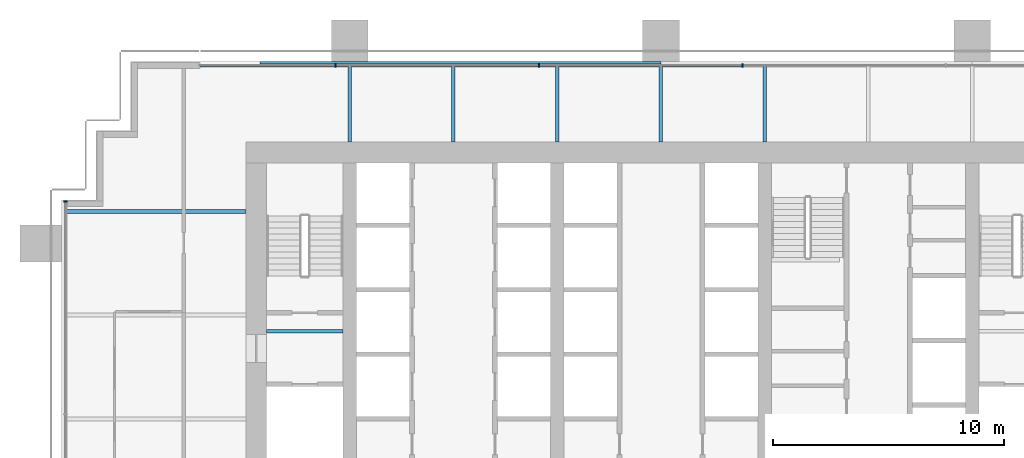
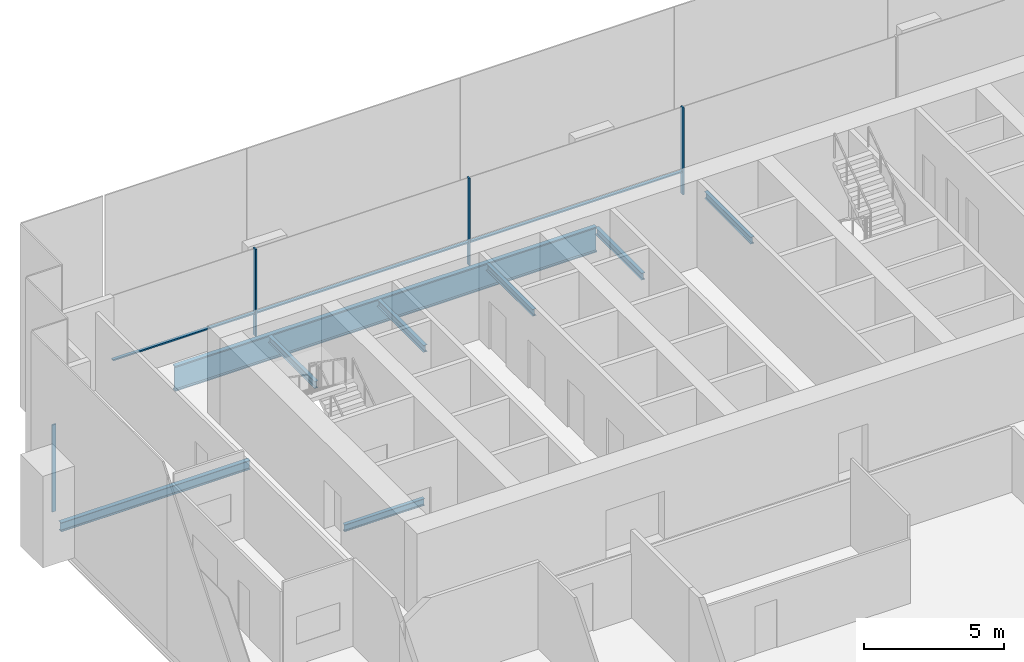
# One storey, part 8 of 19: 8 beams, 7 members, 2 elements without a shape of their own.
"""IFC4 building model written with IfcOpenShell, lengths in metres."""

from ifc_helpers import new_model, si_unit, direction, frame, origin, origin_2d, place, context, subcontext, project, spatial, rectangle, i_section, extrude, material, material_profile, profile_set, type_object, element, aggregate, save


model = new_model("IFC4")

# Units and contexts
model_context = context("Model", 3, precision=1e-05, world=origin(), true_north=direction((0.0, 1.0)))
body_context = subcontext(model_context, "Body", "Model", "MODEL_VIEW")
ifc_project = project(units=[si_unit("LENGTHUNIT", "METRE"), si_unit("AREAUNIT", "SQUARE_METRE"), si_unit("VOLUMEUNIT", "CUBIC_METRE"), si_unit("PLANEANGLEUNIT", "RADIAN"), si_unit("MASSUNIT", "GRAM", prefix="KILO")], contexts=[model_context])

# Site, building, storey
site_placement = place(None, origin())
site = spatial("IfcSite", under=ifc_project, at=site_placement, CompositionType="ELEMENT")
building_placement = place(site_placement, origin())
building = spatial("IfcBuilding", under=site, at=building_placement, Name="Rattan Terrace Tower", CompositionType="ELEMENT")
storey_placement = place(building_placement, frame((0.0, 0.0, 91.699951171875)))
storey = spatial("IfcBuildingStorey", under=building, at=storey_placement, Name="L20", CompositionType="ELEMENT", Elevation=91.699951171875)

# Curtain wall, members
ifc_material_1 = material(Name="Aluminium and glass", Category="aluminium")
curtain_wall_type = type_object("IfcCurtainWallType", Name="Facade Unitised Curtain Wall", PredefinedType="NOTDEFINED", material=ifc_material_1)
curtain_wall_1_placement = place(storey_placement, origin())
curtain_wall_1 = element("IfcCurtainWall", 1, at=curtain_wall_1_placement, inside=storey, type_object=curtain_wall_type, Name="Curtain wall L20-2", PredefinedType="NOTDEFINED")
ifc_material_2 = material(Name="Aluminium", Category="aluminium")
ifc_material_profile_1 = material_profile(ifc_material_2, rectangle(XDim=0.06005859375, YDim=0.159912109375, at=origin_2d()), Name="Aluminium 60x160")
ifc_profile_set_1 = profile_set([ifc_material_profile_1], Name="Aluminium")
member_type_1 = type_object("IfcMemberType", Name="Facade CW Mullion 60x160", PredefinedType="MULLION", material=ifc_profile_set_1)
member_1_placement = place(storey_placement, frame((3.531005859375, 10.830078125, 0.0), z_axis=(0.0, 0.0, 1.0), x_axis=(-1.0, 0.0, 0.0)))
member_1 = element("IfcMember", 2, at=member_1_placement, type_object=member_type_1, Name="Mullion cwl-L20-002.4", PredefinedType="MULLION", context=body_context, shape_type="SweptSolid", body=[
    extrude(rectangle(XDim=0.06005859375, YDim=0.159912109375, at=origin_2d()), origin(), (0.0, 0.0, 1.0), 3.800048828125),
])
member_2_placement = place(storey_placement, frame((-5.2919921875, 10.830078125, 0.0), z_axis=(0.0, 0.0, 1.0), x_axis=(-1.0, 0.0, 0.0)))
member_2 = element("IfcMember", 3, at=member_2_placement, type_object=member_type_1, Name="Mullion cwl-L20-002.5", PredefinedType="MULLION", context=body_context, shape_type="SweptSolid", body=[
    extrude(rectangle(XDim=0.06005859375, YDim=0.159912109375, at=origin_2d()), origin(), (0.0, 0.0, 1.0), 3.800048828125),
])
member_3_placement = place(storey_placement, frame((-14.114990234375, 10.830078125, 0.0), z_axis=(0.0, 0.0, 1.0), x_axis=(-1.0, 0.0, 0.0)))
member_3 = element("IfcMember", 4, at=member_3_placement, type_object=member_type_1, Name="Mullion cwl-L20-002.6", PredefinedType="MULLION", context=body_context, shape_type="SweptSolid", body=[
    extrude(rectangle(XDim=0.06005859375, YDim=0.159912109375, at=origin_2d()), origin(), (0.0, 0.0, 1.0), 3.800048828125),
])

# Curtain wall, member
curtain_wall_2_placement = place(storey_placement, origin())
curtain_wall_2 = element("IfcCurtainWall", 5, at=curtain_wall_2_placement, inside=storey, type_object=curtain_wall_type, Name="Curtain wall L20-3", PredefinedType="NOTDEFINED")
member_4_placement = place(storey_placement, frame((-25.830078125, 4.925048828125, 0.0), z_axis=(0.0, 0.0, 1.0), x_axis=(0.0, -1.0, 0.0)))
member_4 = element("IfcMember", 6, at=member_4_placement, type_object=member_type_1, Name="Mullion cwl-L20-003.1", PredefinedType="MULLION", context=body_context, shape_type="SweptSolid", body=[
    extrude(rectangle(XDim=0.06005859375, YDim=0.159912109375, at=origin_2d()), origin(), (0.0, 0.0, 1.0), 3.800048828125),
])
aggregate(curtain_wall_2, [member_4])

# Member
ifc_material_3 = material(Name="Aluminium", Category="aluminium")
ifc_material_profile_2 = material_profile(ifc_material_3, rectangle(XDim=0.1201171875, YDim=0.06005859375, at=origin_2d()), Name="Aluminium 120x60")
ifc_profile_set_2 = profile_set([ifc_material_profile_2], Name="Aluminium")
member_type_2 = type_object("IfcMemberType", Name="Facade CW Transom 120x60", PredefinedType="USERDEFINED", material=ifc_profile_set_2)
member_5_placement = place(storey_placement, frame((3.5009765625, 10.830078125, 1.0), z_axis=(-1.0, 0.0, 0.0), x_axis=(0.0, -1.0, 0.0)))
member_5 = element("IfcMember", 7, at=member_5_placement, type_object=member_type_2, Name="Transom cwl-L20-002.4", ObjectType="TRANSOM", PredefinedType="USERDEFINED", context=body_context, shape_type="SweptSolid", body=[
    extrude(rectangle(XDim=0.1201171875, YDim=0.06005859375, at=origin_2d()), origin(), (0.0, 0.0, 1.0), 8.762939453125),
])

member_6_placement = place(storey_placement, frame((-5.322021484375, 10.830078125, 1.0), z_axis=(-1.0, 0.0, 0.0), x_axis=(0.0, -1.0, 0.0)))
member_6 = element("IfcMember", 8, at=member_6_placement, type_object=member_type_2, Name="Transom cwl-L20-002.5", ObjectType="TRANSOM", PredefinedType="USERDEFINED", context=body_context, shape_type="SweptSolid", body=[
    extrude(rectangle(XDim=0.1201171875, YDim=0.06005859375, at=origin_2d()), origin(), (0.0, 0.0, 1.0), 8.762939453125),
])

member_7_placement = place(storey_placement, frame((-14.14501953125, 10.830078125, 1.0), z_axis=(-1.0, 0.0, 0.0), x_axis=(0.0, -1.0, 0.0)))
member_7 = element("IfcMember", 9, at=member_7_placement, type_object=member_type_2, Name="Transom cwl-L20-002.6", ObjectType="TRANSOM", PredefinedType="USERDEFINED", context=body_context, shape_type="SweptSolid", body=[
    extrude(rectangle(XDim=0.1201171875, YDim=0.06005859375, at=origin_2d()), origin(), (0.0, 0.0, 1.0), 5.85498046875),
])

aggregate(curtain_wall_1, [member_1, member_2, member_3, member_5, member_6, member_7])

# Beams
ifc_material_4 = material(Name="Steel S460", Category="steel")
ifc_material_profile_3 = material_profile(ifc_material_4, i_section(OverallWidth=0.179931640625, OverallDepth=1.10009765625, WebThickness=0.01611328125, FlangeThickness=0.050048828125, at=origin_2d()), Name="PG 1100x180-16-50")
ifc_profile_set_3 = profile_set([ifc_material_profile_3], Name="Steel S460")
beam_type_1 = type_object("IfcBeamType", Name="Frame edge girder PG 1100x180-16-50", PredefinedType="SPANDREL", material=ifc_profile_set_3)
beam_1_placement = place(storey_placement, frame((-17.39990234375, 10.909912109375, -0.75), z_axis=(1.0, 0.0, 0.0), x_axis=(0.0, 1.0, 0.0)))
element("IfcBeam", 10, at=beam_1_placement, inside=storey, type_object=beam_type_1, Name="gdr-L20-006", PredefinedType="SPANDREL", context=body_context, shape_type="SweptSolid", body=[
    extrude(i_section(OverallWidth=0.179931640625, OverallDepth=1.10009765625, WebThickness=0.01611328125, FlangeThickness=0.050048828125, at=origin_2d()), origin(), (0.0, 0.0, 1.0), 17.39990234375),
])
ifc_material_5 = material(Name="Steel S355", Category="steel")
ifc_material_profile_4 = material_profile(ifc_material_5, i_section(OverallWidth=0.14990234375, OverallDepth=0.300048828125, WebThickness=0.007080078125, FlangeThickness=0.0107421875, FilletRadius=0.014892578125, at=origin_2d()), Name="IPE 300")
ifc_profile_set_4 = profile_set([ifc_material_profile_4], Name="Steel S355")
beam_type_2 = type_object("IfcBeamType", Name="Frame floor beam IPE 300", PredefinedType="JOIST", material=ifc_profile_set_4)
beam_2_placement = place(storey_placement, frame((-17.10009765625, -0.695068359375, -0.349853515625), z_axis=(1.0, 0.0, 0.0), x_axis=(0.0, 1.0, 0.0)))
element("IfcBeam", 11, at=beam_2_placement, inside=storey, type_object=beam_type_2, Name="bm-L20-001", PredefinedType="JOIST", context=body_context, shape_type="SweptSolid", body=[
    extrude(i_section(OverallWidth=0.14990234375, OverallDepth=0.300048828125, WebThickness=0.007080078125, FlangeThickness=0.0107421875, FilletRadius=0.014892578125, at=origin_2d()), origin(), (0.0, 0.0, 1.0), 3.300048828125),
])
for number, where, z_axis, x_axis, name in (
    (12, (-13.5, 7.5, -0.349853515625), (0.0, 1.0, 0.0), (-1.0, 0.0, 0.0), "bm-L20-018"),
    (13, (-9.0, 7.5, -0.349853515625), (0.0, 1.0, 0.0), (-1.0, 0.0, 0.0), "bm-L20-019"),
    (14, (-4.5, 7.5, -0.349853515625), (0.0, 1.0, 0.0), (-1.0, 0.0, 0.0), "bm-L20-020"),
    (15, (0.0, 7.5, -0.349853515625), (0.0, 1.0, 0.0), (-1.0, 0.0, 0.0), "bm-L20-021"),
    (16, (4.5, 7.5, -0.349853515625), (0.0, 1.0, 0.0), (-1.0, 0.0, 0.0), "bm-L20-022"),
):
    element("IfcBeam", number, at=place(storey_placement, frame(where, z_axis=z_axis, x_axis=x_axis)), inside=storey, type_object=beam_type_2, Name=name, PredefinedType="JOIST", context=body_context, shape_type="SweptSolid", body=[
        extrude(i_section(OverallWidth=0.14990234375, OverallDepth=0.300048828125, WebThickness=0.007080078125, FlangeThickness=0.0107421875, FilletRadius=0.014892578125, at=origin_2d()), origin(), (0.0, 0.0, 1.0), 3.320068359375),
    ])
ifc_material_6 = material(Name="Steel S355", Category="steel")
ifc_material_profile_5 = material_profile(ifc_material_6, i_section(OverallWidth=0.179931640625, OverallDepth=0.39990234375, WebThickness=0.008544921875, FlangeThickness=0.013427734375, FilletRadius=0.02099609375, at=origin_2d()), Name="IPE 400")
ifc_profile_set_5 = profile_set([ifc_material_profile_5], Name="Steel S355")
beam_type_3 = type_object("IfcBeamType", Name="Frame floor beam IPE 400", PredefinedType="JOIST", material=ifc_profile_set_5)
beam_3_placement = place(storey_placement, frame((-25.820068359375, 4.5, -0.39990234375), z_axis=(1.0, 0.0, 0.0), x_axis=(0.0, 1.0, 0.0)))
element("IfcBeam", 17, at=beam_3_placement, inside=storey, type_object=beam_type_3, Name="bm-L20-016", PredefinedType="JOIST", context=body_context, shape_type="SweptSolid", body=[
    extrude(i_section(OverallWidth=0.179931640625, OverallDepth=0.39990234375, WebThickness=0.008544921875, FlangeThickness=0.013427734375, FilletRadius=0.02099609375, at=origin_2d()), origin(), (0.0, 0.0, 1.0), 7.820068359375),
])

save(model, "model.ifc")
